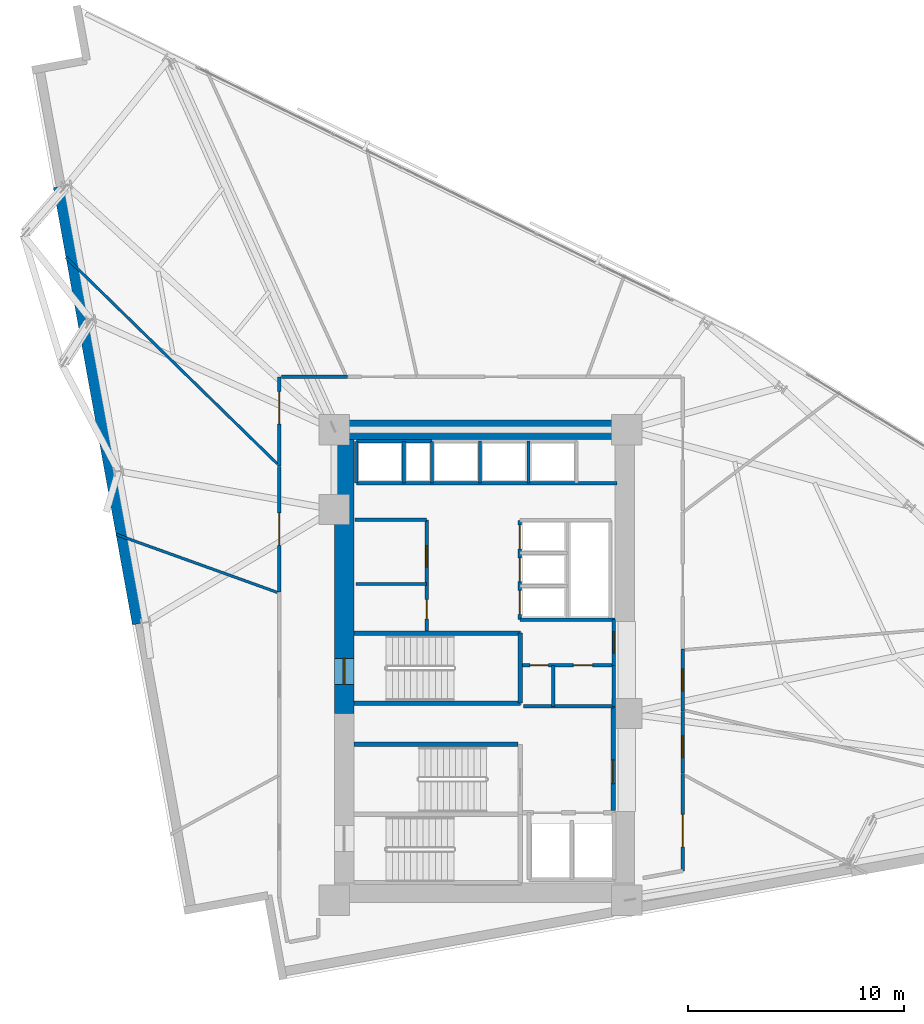
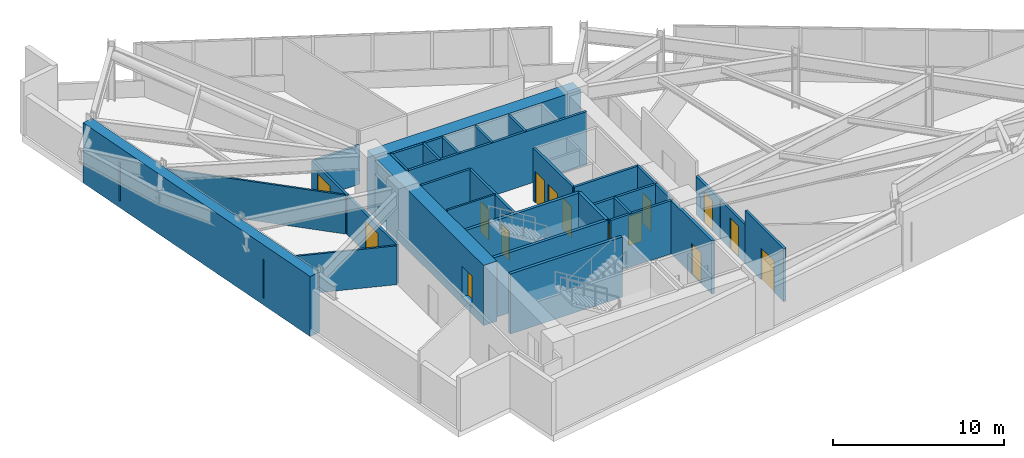
# One storey, part 13 of 19: 33 walls, 15 doors, 15 openings.
"""IFC4 building model written with IfcOpenShell, lengths in metres."""

from ifc_helpers import new_model, si_unit, direction, frame, frame_2d, origin, place, context, subcontext, project, spatial, rectangle, extrude, material, layer, layer_set, type_object, element, fill, save


model = new_model("IFC4")

# Units and contexts
model_context = context("Model", 3, precision=1e-05, world=origin(), true_north=direction((0.0, 1.0)))
body_context = subcontext(model_context, "Body", "Model", "MODEL_VIEW")
ifc_project = project(units=[si_unit("LENGTHUNIT", "METRE"), si_unit("AREAUNIT", "SQUARE_METRE"), si_unit("VOLUMEUNIT", "CUBIC_METRE"), si_unit("PLANEANGLEUNIT", "RADIAN"), si_unit("MASSUNIT", "GRAM", prefix="KILO")], contexts=[model_context])

# Site, building, storey
site_placement = place(None, origin())
site = spatial("IfcSite", under=ifc_project, at=site_placement, CompositionType="ELEMENT")
building_placement = place(site_placement, origin())
building = spatial("IfcBuilding", under=site, at=building_placement, Name="Narakoshi Arena Tower", CompositionType="ELEMENT")
storey_placement = place(building_placement, frame((0.0, 0.0, 128.10009765625)))
storey = spatial("IfcBuildingStorey", under=building, at=storey_placement, Name="L34", CompositionType="ELEMENT", Elevation=128.10009765625)

# Wall, opening, door
ifc_material_1 = material(Name="Concrete C60/75", Category="concrete")
ifc_layer_1 = layer(ifc_material_1, 0.89990234375)
ifc_layer_set_1 = layer_set([ifc_layer_1], Name="Concrete C60/75")
wall_type_1 = type_object("IfcWallType", Name="WL-CORE-900", PredefinedType="SHEAR", material=ifc_layer_set_1)
wall_1_placement = place(storey_placement, frame((72.449951171875, 43.35009765625, -0.5), z_axis=(0.0, 0.0, 1.0), x_axis=(0.0, 1.0, 0.0)))
wall_1 = element("IfcWall", 1, at=wall_1_placement, inside=storey, type_object=wall_type_1, Name="L34 Main Core Shear Wall CW-MN-W", PredefinedType="SHEAR", context=body_context, shape_type="SweptSolid", body=[
    extrude(rectangle(XDim=12.699951171875, YDim=0.89990234375, at=frame_2d((6.35009765625, 0.0))), origin(), (0.0, 0.0, 1.0), 4.2998046875),
])
opening_1_placement = place(wall_1_placement, frame((1.35009765625, 0.0, 0.5)))
opening_1 = element("IfcOpeningElement", 2, at=opening_1_placement, cuts=wall_1, Name="Opening D-03", PredefinedType="OPENING", context=body_context, shape_type="SweptSolid", body=[
    extrude(rectangle(XDim=1.199951171875, YDim=2.199951171875, at=frame_2d((0.60009765625, 1.10009765625))), frame((0.0, 0.4599609375, 0.0), z_axis=(0.0, -1.0, 0.0), x_axis=(1.0, 0.0, 0.0)), (0.0, 0.0, 1.0), 0.919921875),
])
ifc_material_2 = material(Name="Painted galvanized steel", Category="steel")
door_type_1 = type_object("IfcDoorType", Name="DR-STR-1200", OperationType="NOTDEFINED", PredefinedType="USERDEFINED", material=ifc_material_2)
door_1_placement = place(opening_1_placement, frame((1.199951171875, 0.0, 0.0), z_axis=(0.0, 0.0, 1.0), x_axis=(-1.0, 0.0, 0.0)))
door_1 = element("IfcDoor", 3, at=door_1_placement, inside=storey, type_object=door_type_1, Name="DR-L34-006", ObjectType="EXITDOOR", OperationType="SINGLE_SWING_LEFT", OverallHeight=2.199951171875, OverallWidth=1.199951171875, PredefinedType="USERDEFINED", context=body_context, shape_type="SweptSolid", body=[
    extrude(rectangle(XDim=1.199951171875, YDim=2.199951171875, at=frame_2d((0.60009765625, 1.10009765625))), frame((0.0, 0.02490234375, 0.0), z_axis=(0.0, -1.0, 0.0), x_axis=(1.0, 0.0, 0.0)), (0.0, 0.0, 1.0), 0.050048828125),
])
fill(opening_1, door_1)

# Wall
wall_2_placement = place(storey_placement, frame((72.0, 56.5, -0.5), z_axis=(0.0, 0.0, 1.0), x_axis=(1.0, 0.0, 0.0)))
element("IfcWall", 4, at=wall_2_placement, inside=storey, type_object=wall_type_1, Name="L34 Main Core Shear Wall CW-MN-N", PredefinedType="SHEAR", context=body_context, shape_type="SweptSolid", body=[
    extrude(rectangle(XDim=13.89990234375, YDim=0.89990234375, at=frame_2d((6.949951171875, 0.0))), origin(), (0.0, 0.0, 1.0), 4.2998046875),
])

# Wall, opening, door
ifc_material_3 = material(Name="Gypsum plasterboard fire-rated partition")
ifc_layer_2 = layer(ifc_material_3, 0.1650390625)
ifc_layer_set_2 = layer_set([ifc_layer_2], Name="Gypsum plasterboard fire-rated partition")
wall_type_2 = type_object("IfcWallType", Name="WL-CORR-165", PredefinedType="PARTITIONING", material=ifc_layer_set_2)
wall_3_placement = place(storey_placement, frame((84.949951171875, 45.580078125, 0.0), z_axis=(0.0, 0.0, 1.0), x_axis=(0.0, 1.0, 0.0)))
wall_3 = element("IfcWall", 5, at=wall_3_placement, inside=storey, type_object=wall_type_2, Name="L34 Core Wall CPAS-E", PredefinedType="PARTITIONING", context=body_context, shape_type="SweptSolid", body=[
    extrude(rectangle(XDim=2.119873046875, YDim=0.1650390625, at=frame_2d((1.06005859375, 0.0))), origin(), (0.0, 0.0, 1.0), 3.7998046875),
])
opening_2_placement = place(wall_3_placement, frame((0.56005859375, 0.0, 0.0)))
opening_2 = element("IfcOpeningElement", 6, at=opening_2_placement, cuts=wall_3, Name="Opening D-06", PredefinedType="OPENING", context=body_context, shape_type="SweptSolid", body=[
    extrude(rectangle(XDim=1.0, YDim=2.199951171875, at=frame_2d((0.5, 1.10009765625))), frame((0.0, 0.092529296875, 0.0), z_axis=(0.0, -1.0, 0.0), x_axis=(1.0, 0.0, 0.0)), (0.0, 0.0, 1.0), 0.18505859375),
])
ifc_material_4 = material(Name="Stained oak solid-core timber", Category="wood")
door_type_2 = type_object("IfcDoorType", Name="DR-OFF-1000", OperationType="NOTDEFINED", PredefinedType="DOOR", material=ifc_material_4)
door_2_placement = place(opening_2_placement, frame((1.0, 0.0, 0.0), z_axis=(0.0, 0.0, 1.0), x_axis=(-1.0, 0.0, 0.0)))
door_2 = element("IfcDoor", 7, at=door_2_placement, inside=storey, type_object=door_type_2, Name="DR-L34-007", OperationType="SINGLE_SWING_LEFT", OverallHeight=2.199951171875, OverallWidth=1.0, PredefinedType="DOOR", context=body_context, shape_type="SweptSolid", body=[
    extrude(rectangle(XDim=1.0, YDim=2.199951171875, at=frame_2d((0.5, 1.10009765625))), frame((0.0, 0.02490234375, 0.0), z_axis=(0.0, -1.0, 0.0), x_axis=(1.0, 0.0, 0.0)), (0.0, 0.0, 1.0), 0.050048828125),
])
fill(opening_2, door_2)

wall_4_placement = place(storey_placement, frame((88.14990234375, 36.058837890625, 0.0), z_axis=(0.0, 0.0, 1.0), x_axis=(0.0, 1.0, 0.0)))
wall_4 = element("IfcWall", 8, at=wall_4_placement, inside=storey, type_object=wall_type_2, Name="L34 Corridor Partition 03-1", PredefinedType="PARTITIONING", context=body_context, shape_type="SweptSolid", body=[
    extrude(rectangle(XDim=4.51318359375, YDim=0.1650390625, at=frame_2d((2.256591796875, 0.0))), origin(), (0.0, 0.0, 1.0), 3.7998046875),
])
opening_3_placement = place(wall_4_placement, frame((1.114501953125, 0.0, 0.0)))
opening_3 = element("IfcOpeningElement", 9, at=opening_3_placement, cuts=wall_4, Name="Opening D-09", PredefinedType="OPENING", context=body_context, shape_type="SweptSolid", body=[
    extrude(rectangle(XDim=1.5, YDim=2.25, at=frame_2d((0.75, 1.125))), frame((0.0, 0.092529296875, 0.0), z_axis=(0.0, -1.0, 0.0), x_axis=(1.0, 0.0, 0.0)), (0.0, 0.0, 1.0), 0.18505859375),
])
door_type_3 = type_object("IfcDoorType", Name="DR-PLT-1500", OperationType="DOUBLE_DOOR_SINGLE_SWING", PredefinedType="DOOR", material=ifc_material_2)
door_3_placement = place(opening_3_placement, frame((1.5, 0.0, 0.0), z_axis=(0.0, 0.0, 1.0), x_axis=(-1.0, 0.0, 0.0)))
door_3 = element("IfcDoor", 10, at=door_3_placement, inside=storey, type_object=door_type_3, Name="DR-L34-017", OperationType="DOUBLE_DOOR_SINGLE_SWING", OverallHeight=2.25, OverallWidth=1.5, PredefinedType="DOOR", context=body_context, shape_type="SweptSolid", body=[
    extrude(rectangle(XDim=1.5, YDim=2.25, at=frame_2d((0.75, 1.125))), frame((0.0, 0.02490234375, 0.0), z_axis=(0.0, -1.0, 0.0), x_axis=(1.0, 0.0, 0.0)), (0.0, 0.0, 1.0), 0.050048828125),
])
fill(opening_3, door_3)

wall_5_placement = place(storey_placement, frame((88.14990234375, 43.4755859375, 0.0), z_axis=(0.0, 0.0, 1.0), x_axis=(0.0, 1.0, 0.0)))
wall_5 = element("IfcWall", 11, at=wall_5_placement, inside=storey, type_object=wall_type_2, Name="L34 Corridor Partition 04-1", PredefinedType="PARTITIONING", context=body_context, shape_type="SweptSolid", body=[
    extrude(rectangle(XDim=2.85205078125, YDim=0.1650390625, at=frame_2d((1.426025390625, 0.0))), origin(), (0.0, 0.0, 1.0), 2.77685546875),
])
opening_4_placement = place(wall_5_placement, frame((0.92578125, 0.0, 0.0)))
opening_4 = element("IfcOpeningElement", 12, at=opening_4_placement, cuts=wall_5, Name="Opening D-06", PredefinedType="OPENING", context=body_context, shape_type="SweptSolid", body=[
    extrude(rectangle(XDim=1.0, YDim=2.199951171875, at=frame_2d((0.5, 1.10009765625))), frame((0.0, 0.092529296875, 0.0), z_axis=(0.0, -1.0, 0.0), x_axis=(1.0, 0.0, 0.0)), (0.0, 0.0, 1.0), 0.18505859375),
])
door_4_placement = place(opening_4_placement, frame((1.0, 0.0, 0.0), z_axis=(0.0, 0.0, 1.0), x_axis=(-1.0, 0.0, 0.0)))
door_4 = element("IfcDoor", 13, at=door_4_placement, inside=storey, type_object=door_type_2, Name="DR-L34-018", OperationType="SINGLE_SWING_LEFT", OverallHeight=2.199951171875, OverallWidth=1.0, PredefinedType="DOOR", context=body_context, shape_type="SweptSolid", body=[
    extrude(rectangle(XDim=1.0, YDim=2.199951171875, at=frame_2d((0.5, 1.10009765625))), frame((0.0, 0.02490234375, 0.0), z_axis=(0.0, -1.0, 0.0), x_axis=(1.0, 0.0, 0.0)), (0.0, 0.0, 1.0), 0.050048828125),
])
fill(opening_4, door_4)

wall_6_placement = place(storey_placement, frame((88.14990234375, 40.59912109375, 0.0), z_axis=(0.0, 0.0, 1.0), x_axis=(0.0, 1.0, 0.0)))
wall_6 = element("IfcWall", 14, at=wall_6_placement, inside=storey, type_object=wall_type_2, Name="L34 Corridor Partition 05-1", PredefinedType="PARTITIONING", context=body_context, shape_type="SweptSolid", body=[
    extrude(rectangle(XDim=2.85205078125, YDim=0.1650390625, at=frame_2d((1.426025390625, 0.0))), origin(), (0.0, 0.0, 1.0), 2.77685546875),
])
opening_5_placement = place(wall_6_placement, frame((0.708251953125, 0.0, 0.0)))
opening_5 = element("IfcOpeningElement", 15, at=opening_5_placement, cuts=wall_6, Name="Opening D-06", PredefinedType="OPENING", context=body_context, shape_type="SweptSolid", body=[
    extrude(rectangle(XDim=1.0, YDim=2.199951171875, at=frame_2d((0.5, 1.10009765625))), frame((0.0, 0.092529296875, 0.0), z_axis=(0.0, -1.0, 0.0), x_axis=(1.0, 0.0, 0.0)), (0.0, 0.0, 1.0), 0.18505859375),
])
door_5_placement = place(opening_5_placement, frame((1.0, 0.0, 0.0), z_axis=(0.0, 0.0, 1.0), x_axis=(-1.0, 0.0, 0.0)))
door_5 = element("IfcDoor", 16, at=door_5_placement, inside=storey, type_object=door_type_2, Name="DR-L34-019", OperationType="SINGLE_SWING_RIGHT", OverallHeight=2.199951171875, OverallWidth=1.0, PredefinedType="DOOR", context=body_context, shape_type="SweptSolid", body=[
    extrude(rectangle(XDim=1.0, YDim=2.199951171875, at=frame_2d((0.5, 1.10009765625))), frame((0.0, 0.02490234375, 0.0), z_axis=(0.0, -1.0, 0.0), x_axis=(1.0, 0.0, 0.0)), (0.0, 0.0, 1.0), 0.050048828125),
])
fill(opening_5, door_5)

wall_7_placement = place(storey_placement, frame((69.449951171875, 58.949951171875, 0.0), z_axis=(0.0, 0.0, 1.0), x_axis=(0.0, -1.0, 0.0)))
wall_7 = element("IfcWall", 17, at=wall_7_placement, inside=storey, type_object=wall_type_2, Name="L34 Corridor Partition 09-1", PredefinedType="PARTITIONING", context=body_context, shape_type="SweptSolid", body=[
    extrude(rectangle(XDim=4.123046875, YDim=0.1650390625, at=frame_2d((2.0615234375, 0.0))), origin(), (0.0, 0.0, 1.0), 2.77685546875),
])
opening_6_placement = place(wall_7_placement, frame((0.689208984375, 0.0, 0.0)))
opening_6 = element("IfcOpeningElement", 18, at=opening_6_placement, cuts=wall_7, Name="Opening D-09", PredefinedType="OPENING", context=body_context, shape_type="SweptSolid", body=[
    extrude(rectangle(XDim=1.5, YDim=2.25, at=frame_2d((0.75, 1.125))), frame((0.0, 0.092529296875, 0.0), z_axis=(0.0, -1.0, 0.0), x_axis=(1.0, 0.0, 0.0)), (0.0, 0.0, 1.0), 0.18505859375),
])
door_6_placement = place(opening_6_placement, frame((1.5, 0.0, 0.0), z_axis=(0.0, 0.0, 1.0), x_axis=(-1.0, 0.0, 0.0)))
door_6 = element("IfcDoor", 19, at=door_6_placement, inside=storey, type_object=door_type_3, Name="DR-L34-023", OperationType="DOUBLE_DOOR_SINGLE_SWING", OverallHeight=2.25, OverallWidth=1.5, PredefinedType="DOOR", context=body_context, shape_type="SweptSolid", body=[
    extrude(rectangle(XDim=1.5, YDim=2.25, at=frame_2d((0.75, 1.125))), frame((0.0, 0.02490234375, 0.0), z_axis=(0.0, -1.0, 0.0), x_axis=(1.0, 0.0, 0.0)), (0.0, 0.0, 1.0), 0.050048828125),
])
fill(opening_6, door_6)

# Wall
wall_8_placement = place(storey_placement, frame((72.600830078125, 58.949951171875, 0.0), z_axis=(0.0, 0.0, 1.0), x_axis=(-1.0, 0.0, 0.0)))
element("IfcWall", 20, at=wall_8_placement, inside=storey, type_object=wall_type_2, Name="L34 Corridor Partition 09-2", PredefinedType="PARTITIONING", context=body_context, shape_type="SweptSolid", body=[
    extrude(rectangle(XDim=3.056396484375, YDim=0.1650390625, at=frame_2d((1.5283203125, 0.0))), origin(), (0.0, 0.0, 1.0), 2.77685546875),
])

# Wall, opening, door
wall_9_placement = place(storey_placement, frame((69.449951171875, 54.793212890625, 0.0), z_axis=(0.0, 0.0, 1.0), x_axis=(0.0, -1.0, 0.0)))
wall_9 = element("IfcWall", 21, at=wall_9_placement, inside=storey, type_object=wall_type_2, Name="L34 Corridor Partition 11-1", PredefinedType="PARTITIONING", context=body_context, shape_type="SweptSolid", body=[
    extrude(rectangle(XDim=5.806640625, YDim=0.1650390625, at=frame_2d((2.9033203125, 0.0))), origin(), (0.0, 0.0, 1.0), 2.77685546875),
])
opening_7_placement = place(wall_9_placement, frame((2.1533203125, 0.0, 0.0)))
opening_7 = element("IfcOpeningElement", 22, at=opening_7_placement, cuts=wall_9, Name="Opening D-09", PredefinedType="OPENING", context=body_context, shape_type="SweptSolid", body=[
    extrude(rectangle(XDim=1.5, YDim=2.25, at=frame_2d((0.75, 1.125))), frame((0.0, 0.092529296875, 0.0), z_axis=(0.0, -1.0, 0.0), x_axis=(1.0, 0.0, 0.0)), (0.0, 0.0, 1.0), 0.18505859375),
])
door_7_placement = place(opening_7_placement, frame((1.5, 0.0, 0.0), z_axis=(0.0, 0.0, 1.0), x_axis=(-1.0, 0.0, 0.0)))
door_7 = element("IfcDoor", 23, at=door_7_placement, inside=storey, type_object=door_type_3, Name="DR-L34-025", OperationType="DOUBLE_DOOR_SINGLE_SWING", OverallHeight=2.25, OverallWidth=1.5, PredefinedType="DOOR", context=body_context, shape_type="SweptSolid", body=[
    extrude(rectangle(XDim=1.5, YDim=2.25, at=frame_2d((0.75, 1.125))), frame((0.0, 0.02490234375, 0.0), z_axis=(0.0, -1.0, 0.0), x_axis=(1.0, 0.0, 0.0)), (0.0, 0.0, 1.0), 0.050048828125),
])
fill(opening_7, door_7)

# Walls
ifc_layer_3 = layer(ifc_material_1, 0.699951171875)
ifc_layer_set_3 = layer_set([ifc_layer_3], Name="Concrete C60/75")
wall_type_3 = type_object("IfcWallType", Name="WL-LEG-700", PredefinedType="SHEAR", material=ifc_layer_set_3)
wall_10_placement = place(storey_placement, frame((59.327880859375, 67.767822265625, -0.5), z_axis=(0.0, 0.0, 1.0), x_axis=(0.177933213615, -0.984042565895, 0.0)))
element("IfcWall", 24, at=wall_10_placement, inside=storey, type_object=wall_type_3, Name="L34 Architectural Concrete Structural Wall LEGB-2", PredefinedType="SHEAR", context=body_context, shape_type="SweptSolid", body=[
    extrude(rectangle(XDim=20.57861328125, YDim=0.699951171875, at=frame_2d((10.289306640625, 0.0))), origin(), (0.0, 0.0, 1.0), 4.2998046875),
])
ifc_layer_4 = layer(ifc_material_3, 0.125)
ifc_layer_set_4 = layer_set([ifc_layer_4], Name="Gypsum plasterboard fire-rated partition")
wall_type_4 = type_object("IfcWallType", Name="WL-PART-125", PredefinedType="PARTITIONING", material=ifc_layer_set_4)
wall_11_placement = place(storey_placement, frame((73.0, 49.35009765625, 0.0), z_axis=(0.0, 0.0, 1.0), x_axis=(1.0, 0.0, 0.0)))
element("IfcWall", 25, at=wall_11_placement, inside=storey, type_object=wall_type_4, Name="L34 Core Wall RCL-LR-D1", PredefinedType="PARTITIONING", context=body_context, shape_type="SweptSolid", body=[
    extrude(rectangle(XDim=3.280029296875, YDim=0.125, at=frame_2d((1.64013671875, 0.0))), origin(), (0.0, 0.0, 1.0), 3.7998046875),
])
wall_12_placement = place(storey_placement, frame((61.88720703125, 51.647216796875, 0.0), z_axis=(0.0, 0.0, 1.0), x_axis=(0.940969732106, -0.3384907137, 0.0)))
element("IfcWall", 26, at=wall_12_placement, inside=storey, type_object=wall_type_4, Name="L34 Inter-Room Partition 01-11", PredefinedType="PARTITIONING", context=body_context, shape_type="SweptSolid", body=[
    extrude(rectangle(XDim=7.936767578125, YDim=0.125, at=frame_2d((3.96826171875, 0.0))), origin(), (0.0, 0.0, 1.0), 2.77685546875),
])
wall_13_placement = place(storey_placement, frame((69.35546875, 54.919189453125, 0.0), z_axis=(0.0, 0.0, 1.0), x_axis=(-0.715183960521, 0.698936265058, 0.0)))
element("IfcWall", 27, at=wall_13_placement, inside=storey, type_object=wall_type_4, Name="L34 Inter-Room Partition 09-11", PredefinedType="PARTITIONING", context=body_context, shape_type="SweptSolid", body=[
    extrude(rectangle(XDim=13.688720703125, YDim=0.125, at=frame_2d((6.84423828125, 0.0))), origin(), (0.0, 0.0, 1.0), 2.77685546875),
])
ifc_material_5 = material(Name="Concrete C40/50", Category="concrete")
ifc_layer_5 = layer(ifc_material_5, 0.280029296875)
ifc_layer_set_5 = layer_set([ifc_layer_5], Name="Concrete C40/50")
wall_type_5 = type_object("IfcWallType", Name="WL-RISER-280", PredefinedType="PLUMBINGWALL", material=ifc_layer_set_5)
wall_14_placement = place(storey_placement, frame((84.949951171875, 43.679931640625, 0.0), z_axis=(0.0, 0.0, 1.0), x_axis=(0.0, 1.0, 0.0)))
element("IfcWall", 28, at=wall_14_placement, inside=storey, type_object=wall_type_5, Name="L34 Core Wall RSR-E", PredefinedType="PLUMBINGWALL", context=body_context, shape_type="SweptSolid", body=[
    extrude(rectangle(XDim=1.900146484375, YDim=0.1650390625, at=frame_2d((0.9501953125, 0.0))), origin(), (0.0, 0.0, 1.0), 3.7998046875),
])

# Wall, openings, doors
wall_15_placement = place(storey_placement, frame((80.719970703125, 45.580078125, 0.0), z_axis=(0.0, 0.0, 1.0), x_axis=(1.0, 0.0, 0.0)))
wall_15 = element("IfcWall", 29, at=wall_15_placement, inside=storey, type_object=wall_type_5, Name="L34 Core Wall RSR-N", PredefinedType="PLUMBINGWALL", context=body_context, shape_type="SweptSolid", body=[
    extrude(rectangle(XDim=4.22998046875, YDim=0.159912109375, at=frame_2d((2.114990234375, 0.0))), origin(), (0.0, 0.0, 1.0), 3.7998046875),
])
opening_8_placement = place(wall_15_placement, frame((0.35009765625, 0.0, 0.0)))
opening_8 = element("IfcOpeningElement", 30, at=opening_8_placement, cuts=wall_15, Name="Opening D-10", PredefinedType="OPENING", context=body_context, shape_type="SweptSolid", body=[
    extrude(rectangle(XDim=0.85009765625, YDim=2.050048828125, at=frame_2d((0.425048828125, 1.02490234375))), frame((0.0, 0.08984375, 0.0), z_axis=(0.0, -1.0, 0.0), x_axis=(1.0, 0.0, 0.0)), (0.0, 0.0, 1.0), 0.179931640625),
])
opening_9_placement = place(wall_15_placement, frame((2.35009765625, 0.0, 0.0)))
opening_9 = element("IfcOpeningElement", 31, at=opening_9_placement, cuts=wall_15, Name="Opening D-08", PredefinedType="OPENING", context=body_context, shape_type="SweptSolid", body=[
    extrude(rectangle(XDim=0.89990234375, YDim=2.10009765625, at=frame_2d((0.449951171875, 1.050048828125))), frame((0.0, 0.08984375, 0.0), z_axis=(0.0, -1.0, 0.0), x_axis=(1.0, 0.0, 0.0)), (0.0, 0.0, 1.0), 0.179931640625),
])
door_type_4 = type_object("IfcDoorType", Name="DR-RSR-850", OperationType="NOTDEFINED", PredefinedType="DOOR", material=ifc_material_2)
door_8_placement = place(opening_8_placement, frame((0.85009765625, 0.0, 0.0), z_axis=(0.0, 0.0, 1.0), x_axis=(-1.0, 0.0, 0.0)))
door_8 = element("IfcDoor", 32, at=door_8_placement, inside=storey, type_object=door_type_4, Name="DR-L34-008", OperationType="SINGLE_SWING_LEFT", OverallHeight=2.050048828125, OverallWidth=0.85009765625, PredefinedType="DOOR", context=body_context, shape_type="SweptSolid", body=[
    extrude(rectangle(XDim=0.85009765625, YDim=2.050048828125, at=frame_2d((0.425048828125, 1.02490234375))), frame((0.0, 0.02490234375, 0.0), z_axis=(0.0, -1.0, 0.0), x_axis=(1.0, 0.0, 0.0)), (0.0, 0.0, 1.0), 0.050048828125),
])
fill(opening_8, door_8)
ifc_material_6 = material(Name="Moisture-resistant laminate timber", Category="wood")
door_type_5 = type_object("IfcDoorType", Name="DR-WC-900", OperationType="NOTDEFINED", PredefinedType="DOOR", material=ifc_material_6)
door_9_placement = place(opening_9_placement, frame((0.89990234375, 0.0, 0.0), z_axis=(0.0, 0.0, 1.0), x_axis=(-1.0, 0.0, 0.0)))
door_9 = element("IfcDoor", 33, at=door_9_placement, inside=storey, type_object=door_type_5, Name="DR-L34-009", OperationType="SINGLE_SWING_RIGHT", OverallHeight=2.10009765625, OverallWidth=0.89990234375, PredefinedType="DOOR", context=body_context, shape_type="SweptSolid", body=[
    extrude(rectangle(XDim=0.89990234375, YDim=2.10009765625, at=frame_2d((0.449951171875, 1.050048828125))), frame((0.0, 0.02490234375, 0.0), z_axis=(0.0, -1.0, 0.0), x_axis=(1.0, 0.0, 0.0)), (0.0, 0.0, 1.0), 0.050048828125),
])
fill(opening_9, door_9)

# Walls
wall_16_placement = place(storey_placement, frame((80.760009765625, 43.679931640625, 0.0), z_axis=(0.0, 0.0, 1.0), x_axis=(1.0, 0.0, 0.0)))
element("IfcWall", 34, at=wall_16_placement, inside=storey, type_object=wall_type_5, Name="L34 Core Wall RSR-S", PredefinedType="PLUMBINGWALL", context=body_context, shape_type="SweptSolid", body=[
    extrude(rectangle(XDim=4.18994140625, YDim=0.159912109375, at=frame_2d((2.094970703125, 0.0))), origin(), (0.0, 0.0, 1.0), 3.7998046875),
])
wall_17_placement = place(storey_placement, frame((82.14990234375, 43.679931640625, 0.0), z_axis=(0.0, 0.0, 1.0), x_axis=(0.0, 1.0, 0.0)))
element("IfcWall", 35, at=wall_17_placement, inside=storey, type_object=wall_type_5, Name="L34 Core Wall RSR-M", PredefinedType="PLUMBINGWALL", context=body_context, shape_type="SweptSolid", body=[
    extrude(rectangle(XDim=1.900146484375, YDim=0.159912109375, at=frame_2d((0.9501953125, 0.0))), origin(), (0.0, 0.0, 1.0), 3.7998046875),
])
for number, where, z_axis, x_axis, name in (
    (36, (73.02001953125, 54.02001953125, 0.0), (0.0, 0.0, 1.0), (0.0, 1.0, 0.0), "L34 Core Wall OBS-W"),
    (37, (75.219970703125, 54.02001953125, 0.0), (0.0, 0.0, 1.0), (0.0, 1.0, 0.0), "L34 Core Wall OBS-M"),
):
    element("IfcWall", number, at=place(storey_placement, frame(where, z_axis=z_axis, x_axis=x_axis)), inside=storey, type_object=wall_type_5, Name=name, PredefinedType="PLUMBINGWALL", context=body_context, shape_type="SweptSolid", body=[
        extrude(rectangle(XDim=1.93994140625, YDim=0.14990234375, at=frame_2d((0.969970703125, 0.0))), origin(), (0.0, 0.0, 1.0), 3.7998046875),
    ])
for number, where, z_axis, x_axis, name in (
    (38, (78.75, 54.02001953125, 0.0), (0.0, 0.0, 1.0), (0.0, 1.0, 0.0), "L34 Core Wall HR-D1"),
    (39, (81.0, 54.02001953125, 0.0), (0.0, 0.0, 1.0), (0.0, 1.0, 0.0), "L34 Core Wall HR-D2"),
):
    element("IfcWall", number, at=place(storey_placement, frame(where, z_axis=z_axis, x_axis=x_axis)), inside=storey, type_object=wall_type_5, Name=name, PredefinedType="PLUMBINGWALL", context=body_context, shape_type="SweptSolid", body=[
        extrude(rectangle(XDim=1.9599609375, YDim=0.14990234375, at=frame_2d((0.97998046875, 0.0))), origin(), (0.0, 0.0, 1.0), 3.7998046875),
    ])

# Wall, opening, door
ifc_material_7 = material(Name="Concrete C50/60", Category="concrete")
ifc_layer_6 = layer(ifc_material_7, 0.35009765625)
ifc_layer_set_6 = layer_set([ifc_layer_6], Name="Concrete C50/60")
wall_type_6 = type_object("IfcWallType", Name="WL-SHAFT-350", PredefinedType="SOLIDWALL", material=ifc_layer_set_6)
wall_18_placement = place(storey_placement, frame((84.919921875, 38.85009765625, 0.0), z_axis=(0.0, 0.0, 1.0), x_axis=(0.0, 1.0, 0.0)))
wall_18 = element("IfcWall", 40, at=wall_18_placement, inside=storey, type_object=wall_type_6, Name="L34 Core Wall FFLOB-E", PredefinedType="SOLIDWALL", context=body_context, shape_type="SweptSolid", body=[
    extrude(rectangle(XDim=4.829833984375, YDim=0.199951171875, at=frame_2d((2.4150390625, 0.0))), origin(), (0.0, 0.0, 1.0), 3.7998046875),
])
opening_10_placement = place(wall_18_placement, frame((1.25, 0.0, 0.0)))
opening_10 = element("IfcOpeningElement", 41, at=opening_10_placement, cuts=wall_18, Name="Opening D-04", PredefinedType="OPENING", context=body_context, shape_type="SweptSolid", body=[
    extrude(rectangle(XDim=1.10009765625, YDim=2.199951171875, at=frame_2d((0.550048828125, 1.10009765625))), frame((0.0, 0.10986328125, 0.0), z_axis=(0.0, -1.0, 0.0), x_axis=(1.0, 0.0, 0.0)), (0.0, 0.0, 1.0), 0.219970703125),
])
door_type_6 = type_object("IfcDoorType", Name="DR-FFL-1100", OperationType="NOTDEFINED", PredefinedType="DOOR", material=ifc_material_2)
door_10_placement = place(opening_10_placement, frame((1.10009765625, 0.0, 0.0), z_axis=(0.0, 0.0, 1.0), x_axis=(-1.0, 0.0, 0.0)))
door_10 = element("IfcDoor", 42, at=door_10_placement, inside=storey, type_object=door_type_6, Name="DR-L34-005", OperationType="SINGLE_SWING_RIGHT", OverallHeight=2.199951171875, OverallWidth=1.10009765625, PredefinedType="DOOR", context=body_context, shape_type="SweptSolid", body=[
    extrude(rectangle(XDim=1.10009765625, YDim=2.199951171875, at=frame_2d((0.550048828125, 1.10009765625))), frame((0.0, 0.02490234375, 0.0), z_axis=(0.0, -1.0, 0.0), x_axis=(1.0, 0.0, 0.0)), (0.0, 0.0, 1.0), 0.050048828125),
])
fill(opening_10, door_10)

# Walls
wall_19_placement = place(storey_placement, frame((72.919921875, 41.919921875, -0.5), z_axis=(0.0, 0.0, 1.0), x_axis=(1.0, 0.0, 0.0)))
element("IfcWall", 43, at=wall_19_placement, inside=storey, type_object=wall_type_6, Name="L34 Core Wall ST2-N", PredefinedType="SOLIDWALL", context=body_context, shape_type="SweptSolid", body=[
    extrude(rectangle(XDim=7.580078125, YDim=0.199951171875, at=frame_2d((3.7900390625, 0.0))), origin(), (0.0, 0.0, 1.0), 4.2998046875),
])
for number, where, z_axis, x_axis, name in (
    (44, (72.919921875, 43.830078125, -0.5), (0.0, 0.0, 1.0), (1.0, 0.0, 0.0), "L34 Core Wall ST3-S"),
    (45, (72.919921875, 47.070068359375, -0.5), (0.0, 0.0, 1.0), (1.0, 0.0, 0.0), "L34 Core Wall ST3-N"),
):
    element("IfcWall", number, at=place(storey_placement, frame(where, z_axis=z_axis, x_axis=x_axis)), inside=storey, type_object=wall_type_6, Name=name, PredefinedType="SOLIDWALL", context=body_context, shape_type="SweptSolid", body=[
        extrude(rectangle(XDim=7.7001953125, YDim=0.199951171875, at=frame_2d((3.85009765625, 0.0))), origin(), (0.0, 0.0, 1.0), 4.2998046875),
    ])
wall_20_placement = place(storey_placement, frame((80.6201171875, 43.830078125, -0.5), z_axis=(0.0, 0.0, 1.0), x_axis=(0.0, 1.0, 0.0)))
element("IfcWall", 46, at=wall_20_placement, inside=storey, type_object=wall_type_6, Name="L34 Core Wall ST3-E", PredefinedType="SOLIDWALL", context=body_context, shape_type="SweptSolid", body=[
    extrude(rectangle(XDim=3.239990234375, YDim=0.199951171875, at=frame_2d((1.6201171875, 0.0))), origin(), (0.0, 0.0, 1.0), 4.2998046875),
])

# Wall, openings, doors
wall_21_placement = place(storey_placement, frame((76.280029296875, 47.179931640625, 0.0), z_axis=(0.0, 0.0, 1.0), x_axis=(0.0, 1.0, 0.0)))
wall_21 = element("IfcWall", 47, at=wall_21_placement, inside=storey, type_object=wall_type_6, Name="L34 Core Wall LR-E", PredefinedType="SOLIDWALL", context=body_context, shape_type="SweptSolid", body=[
    extrude(rectangle(XDim=5.14013671875, YDim=0.159912109375, at=frame_2d((2.570068359375, 0.0))), origin(), (0.0, 0.0, 1.0), 3.7998046875),
])
opening_11_placement = place(wall_21_placement, frame((0.550048828125, 0.0, 0.0)))
opening_11 = element("IfcOpeningElement", 48, at=opening_11_placement, cuts=wall_21, Name="Opening D-08", PredefinedType="OPENING", context=body_context, shape_type="SweptSolid", body=[
    extrude(rectangle(XDim=0.89990234375, YDim=2.10009765625, at=frame_2d((0.449951171875, 1.050048828125))), frame((0.0, 0.08984375, 0.0), z_axis=(0.0, -1.0, 0.0), x_axis=(1.0, 0.0, 0.0)), (0.0, 0.0, 1.0), 0.179931640625),
])
opening_12_placement = place(wall_21_placement, frame((2.949951171875, 0.0, 0.0)))
opening_12 = element("IfcOpeningElement", 49, at=opening_12_placement, cuts=wall_21, Name="Opening D-06", PredefinedType="OPENING", context=body_context, shape_type="SweptSolid", body=[
    extrude(rectangle(XDim=1.0, YDim=2.199951171875, at=frame_2d((0.5, 1.10009765625))), frame((0.0, 0.08984375, 0.0), z_axis=(0.0, -1.0, 0.0), x_axis=(1.0, 0.0, 0.0)), (0.0, 0.0, 1.0), 0.179931640625),
])
door_11_placement = place(opening_12_placement, frame((1.0, 0.0, 0.0), z_axis=(0.0, 0.0, 1.0), x_axis=(-1.0, 0.0, 0.0)))
door_11 = element("IfcDoor", 50, at=door_11_placement, inside=storey, type_object=door_type_2, Name="DR-L34-011", OperationType="SINGLE_SWING_LEFT", OverallHeight=2.199951171875, OverallWidth=1.0, PredefinedType="DOOR", context=body_context, shape_type="SweptSolid", body=[
    extrude(rectangle(XDim=1.0, YDim=2.199951171875, at=frame_2d((0.5, 1.10009765625))), frame((0.0, 0.02490234375, 0.0), z_axis=(0.0, -1.0, 0.0), x_axis=(1.0, 0.0, 0.0)), (0.0, 0.0, 1.0), 0.050048828125),
])
fill(opening_12, door_11)
door_12_placement = place(opening_11_placement, frame((0.89990234375, 0.0, 0.0), z_axis=(0.0, 0.0, 1.0), x_axis=(-1.0, 0.0, 0.0)))
door_12 = element("IfcDoor", 51, at=door_12_placement, inside=storey, type_object=door_type_5, Name="DR-L34-010", OperationType="SINGLE_SWING_RIGHT", OverallHeight=2.10009765625, OverallWidth=0.89990234375, PredefinedType="DOOR", context=body_context, shape_type="SweptSolid", body=[
    extrude(rectangle(XDim=0.89990234375, YDim=2.10009765625, at=frame_2d((0.449951171875, 1.050048828125))), frame((0.0, 0.02490234375, 0.0), z_axis=(0.0, -1.0, 0.0), x_axis=(1.0, 0.0, 0.0)), (0.0, 0.0, 1.0), 0.050048828125),
])
fill(opening_11, door_12)

# Wall
wall_22_placement = place(storey_placement, frame((72.949951171875, 52.320068359375, 0.0), z_axis=(0.0, 0.0, 1.0), x_axis=(1.0, 0.0, 0.0)))
element("IfcWall", 52, at=wall_22_placement, inside=storey, type_object=wall_type_6, Name="L34 Core Wall LR-N", PredefinedType="SOLIDWALL", context=body_context, shape_type="SweptSolid", body=[
    extrude(rectangle(XDim=3.330078125, YDim=0.14990234375, at=frame_2d((1.6650390625, 0.0))), origin(), (0.0, 0.0, 1.0), 3.7998046875),
])

# Wall, openings, doors
wall_23_placement = place(storey_placement, frame((80.60009765625, 47.699951171875, 0.0), z_axis=(0.0, 0.0, 1.0), x_axis=(0.0, 1.0, 0.0)))
wall_23 = element("IfcWall", 53, at=wall_23_placement, inside=storey, type_object=wall_type_6, Name="L34 Core Wall MR-W", PredefinedType="SOLIDWALL", context=body_context, shape_type="SweptSolid", body=[
    extrude(rectangle(XDim=4.60009765625, YDim=0.159912109375, at=frame_2d((2.300048828125, 0.0))), origin(), (0.0, 0.0, 1.0), 3.7998046875),
])
opening_13_placement = place(wall_23_placement, frame((0.239990234375, 0.0, 0.0)))
opening_13 = element("IfcOpeningElement", 54, at=opening_13_placement, cuts=wall_23, Name="Opening LD-01", PredefinedType="OPENING", context=body_context, shape_type="SweptSolid", body=[
    extrude(rectangle(XDim=1.10009765625, YDim=2.25, at=frame_2d((0.550048828125, 1.125))), frame((0.0, 0.08984375, 0.0), z_axis=(0.0, -1.0, 0.0), x_axis=(1.0, 0.0, 0.0)), (0.0, 0.0, 1.0), 0.179931640625),
])
opening_14_placement = place(wall_23_placement, frame((1.760009765625, 0.0, 0.0)))
opening_14 = element("IfcOpeningElement", 55, at=opening_14_placement, cuts=wall_23, Name="Opening LD-01", PredefinedType="OPENING", context=body_context, shape_type="SweptSolid", body=[
    extrude(rectangle(XDim=1.10009765625, YDim=2.25, at=frame_2d((0.550048828125, 1.125))), frame((0.0, 0.08984375, 0.0), z_axis=(0.0, -1.0, 0.0), x_axis=(1.0, 0.0, 0.0)), (0.0, 0.0, 1.0), 0.179931640625),
])
opening_15_placement = place(wall_23_placement, frame((3.280029296875, 0.0, 0.0)))
opening_15 = element("IfcOpeningElement", 56, at=opening_15_placement, cuts=wall_23, Name="Opening LD-01", PredefinedType="OPENING", context=body_context, shape_type="SweptSolid", body=[
    extrude(rectangle(XDim=1.10009765625, YDim=2.25, at=frame_2d((0.550048828125, 1.125))), frame((0.0, 0.08984375, 0.0), z_axis=(0.0, -1.0, 0.0), x_axis=(1.0, 0.0, 0.0)), (0.0, 0.0, 1.0), 0.179931640625),
])
ifc_material_8 = material(Name="Brushed bronze stainless steel", Category="steel")
door_type_7 = type_object("IfcDoorType", Name="DR-LFT-1100", OperationType="DOUBLE_DOOR_SLIDING", PredefinedType="DOOR", material=ifc_material_8)
door_13_placement = place(opening_13_placement, frame((1.10009765625, 0.0, 0.0), z_axis=(0.0, 0.0, 1.0), x_axis=(-1.0, 0.0, 0.0)))
door_13 = element("IfcDoor", 57, at=door_13_placement, inside=storey, type_object=door_type_7, Name="DR-L34-012", OperationType="DOUBLE_DOOR_SLIDING", OverallHeight=2.25, OverallWidth=1.10009765625, PredefinedType="DOOR", context=body_context, shape_type="SweptSolid", body=[
    extrude(rectangle(XDim=1.10009765625, YDim=2.25, at=frame_2d((0.550048828125, 1.125))), frame((0.0, 0.02490234375, 0.0), z_axis=(0.0, -1.0, 0.0), x_axis=(1.0, 0.0, 0.0)), (0.0, 0.0, 1.0), 0.050048828125),
])
fill(opening_13, door_13)
door_14_placement = place(opening_14_placement, frame((1.10009765625, 0.0, 0.0), z_axis=(0.0, 0.0, 1.0), x_axis=(-1.0, 0.0, 0.0)))
door_14 = element("IfcDoor", 58, at=door_14_placement, inside=storey, type_object=door_type_7, Name="DR-L34-013", OperationType="DOUBLE_DOOR_SLIDING", OverallHeight=2.25, OverallWidth=1.10009765625, PredefinedType="DOOR", context=body_context, shape_type="SweptSolid", body=[
    extrude(rectangle(XDim=1.10009765625, YDim=2.25, at=frame_2d((0.550048828125, 1.125))), frame((0.0, 0.02490234375, 0.0), z_axis=(0.0, -1.0, 0.0), x_axis=(1.0, 0.0, 0.0)), (0.0, 0.0, 1.0), 0.050048828125),
])
fill(opening_14, door_14)
door_15_placement = place(opening_15_placement, frame((1.10009765625, 0.0, 0.0), z_axis=(0.0, 0.0, 1.0), x_axis=(-1.0, 0.0, 0.0)))
door_15 = element("IfcDoor", 59, at=door_15_placement, inside=storey, type_object=door_type_7, Name="DR-L34-014", OperationType="DOUBLE_DOOR_SLIDING", OverallHeight=2.25, OverallWidth=1.10009765625, PredefinedType="DOOR", context=body_context, shape_type="SweptSolid", body=[
    extrude(rectangle(XDim=1.10009765625, YDim=2.25, at=frame_2d((0.550048828125, 1.125))), frame((0.0, 0.02490234375, 0.0), z_axis=(0.0, -1.0, 0.0), x_axis=(1.0, 0.0, 0.0)), (0.0, 0.0, 1.0), 0.050048828125),
])
fill(opening_15, door_15)

# Walls
wall_24_placement = place(storey_placement, frame((80.60009765625, 47.699951171875, 0.0), z_axis=(0.0, 0.0, 1.0), x_axis=(1.0, 0.0, 0.0)))
element("IfcWall", 60, at=wall_24_placement, inside=storey, type_object=wall_type_6, Name="L34 Core Wall MR-S", PredefinedType="SOLIDWALL", context=body_context, shape_type="SweptSolid", body=[
    extrude(rectangle(XDim=4.39990234375, YDim=0.159912109375, at=frame_2d((2.199951171875, 0.0))), origin(), (0.0, 0.0, 1.0), 3.7998046875),
])
wall_25_placement = place(storey_placement, frame((73.02001953125, 54.02001953125, 0.0), z_axis=(0.0, 0.0, 1.0), x_axis=(1.0, 0.0, 0.0)))
element("IfcWall", 61, at=wall_25_placement, inside=storey, type_object=wall_type_6, Name="L34 Core Wall NSHF-S", PredefinedType="SOLIDWALL", context=body_context, shape_type="SweptSolid", body=[
    extrude(rectangle(XDim=12.080078125, YDim=0.159912109375, at=frame_2d((6.0400390625, 0.0))), origin(), (0.0, 0.0, 1.0), 3.7998046875),
])
wall_26_placement = place(storey_placement, frame((73.02001953125, 55.9599609375, 0.0), z_axis=(0.0, 0.0, 1.0), x_axis=(1.0, 0.0, 0.0)))
element("IfcWall", 62, at=wall_26_placement, inside=storey, type_object=wall_type_6, Name="L34 Core Wall OBS-N", PredefinedType="SOLIDWALL", context=body_context, shape_type="SweptSolid", body=[
    extrude(rectangle(XDim=3.5, YDim=0.14990234375, at=frame_2d((1.75, 0.0))), origin(), (0.0, 0.0, 1.0), 3.7998046875),
])
wall_27_placement = place(storey_placement, frame((76.52001953125, 54.02001953125, 0.0), z_axis=(0.0, 0.0, 1.0), x_axis=(0.0, 1.0, 0.0)))
element("IfcWall", 63, at=wall_27_placement, inside=storey, type_object=wall_type_6, Name="L34 Core Wall OBS-E", PredefinedType="SOLIDWALL", context=body_context, shape_type="SweptSolid", body=[
    extrude(rectangle(XDim=1.93994140625, YDim=0.14990234375, at=frame_2d((0.969970703125, 0.0))), origin(), (0.0, 0.0, 1.0), 3.7998046875),
])

save(model, "model.ifc")
